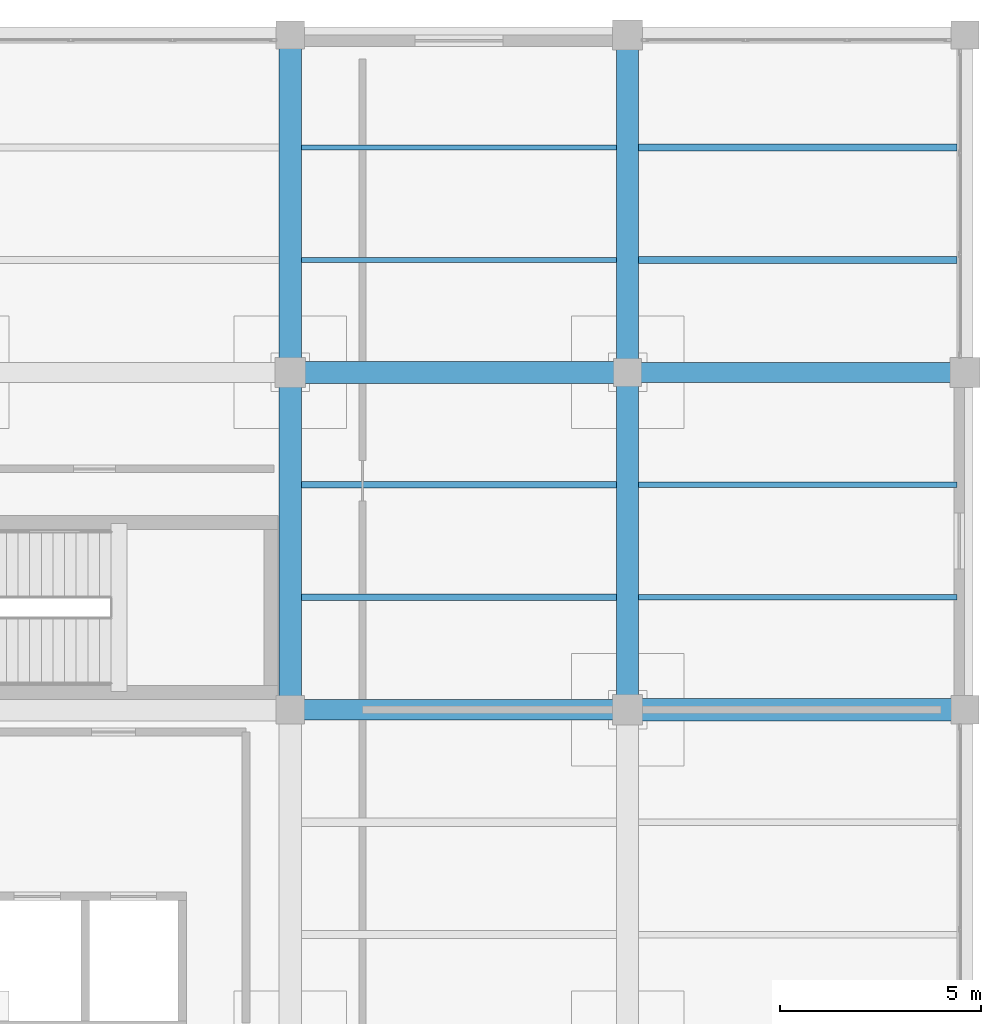
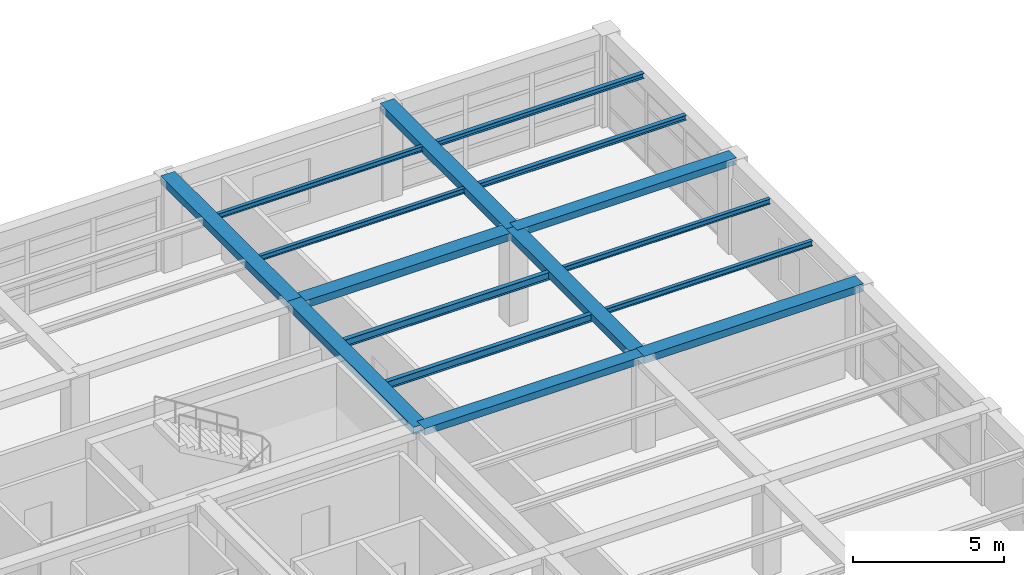
# One storey, part 13 of 26: 16 beams.
"""IFC4 building model written with IfcOpenShell, lengths in metres."""

from ifc_helpers import new_model, si_unit, direction, frame, origin, origin_2d, place, context, subcontext, project, spatial, rectangle, i_section, extrude, material, material_profile, profile_set, type_object, element, save


model = new_model("IFC4")

# Units and contexts
model_context = context("Model", 3, precision=1e-05, world=origin(), true_north=direction((0.0, 1.0)))
body_context = subcontext(model_context, "Body", "Model", "MODEL_VIEW")
ifc_project = project(units=[si_unit("LENGTHUNIT", "METRE"), si_unit("AREAUNIT", "SQUARE_METRE"), si_unit("VOLUMEUNIT", "CUBIC_METRE"), si_unit("PLANEANGLEUNIT", "RADIAN"), si_unit("MASSUNIT", "GRAM", prefix="KILO")], contexts=[model_context])

# Site, building, storey
site_placement = place(None, origin())
site = spatial("IfcSite", under=ifc_project, at=site_placement, CompositionType="ELEMENT")
building_placement = place(site_placement, origin())
building = spatial("IfcBuilding", under=site, at=building_placement, Name="Almacenes y Pasaje Nevantli", CompositionType="ELEMENT")
storey_placement = place(building_placement, frame((0.0, 0.0, 30.699951171875)))
storey = spatial("IfcBuildingStorey", under=building, at=storey_placement, Name="L07", CompositionType="ELEMENT", Elevation=30.699951171875)

# Beams
ifc_material_1 = material(Name="Concrete C35/45", Category="concrete")
ifc_material_profile_1 = material_profile(ifc_material_1, rectangle(XDim=0.5, YDim=0.280029296875, at=origin_2d()), Name="RC-BM-500x280")
ifc_profile_set_1 = profile_set([ifc_material_profile_1], Name="Concrete C35/45")
beam_type_1 = type_object("IfcBeamType", Name="BM-RC-500x280", PredefinedType="BEAM", material=ifc_profile_set_1)
beam_1_placement = place(storey_placement, frame((142.800048828125, 84.0, 3.580078125), z_axis=(1.0, 0.0, 0.0), x_axis=(0.0, 1.0, 0.0)))
element("IfcBeam", 1, at=beam_1_placement, inside=storey, type_object=beam_type_1, Name="L07 East-West Reinforced Concrete Beam #3645", PredefinedType="BEAM", context=body_context, shape_type="SweptSolid", body=[
    extrude(rectangle(XDim=0.5, YDim=0.280029296875, at=origin_2d()), origin(), (0.0, 0.0, 1.0), 8.39990234375),
])
beam_2_placement = place(storey_placement, frame((151.199951171875, 92.39990234375, 3.580078125), z_axis=(1.0, 0.0, 0.0), x_axis=(0.0, 1.0, 0.0)))
element("IfcBeam", 2, at=beam_2_placement, inside=storey, type_object=beam_type_1, Name="L07 East-West Reinforced Concrete Beam #3652", PredefinedType="BEAM", context=body_context, shape_type="SweptSolid", body=[
    extrude(rectangle(XDim=0.5, YDim=0.280029296875, at=origin_2d()), origin(), (0.0, 0.0, 1.0), 8.400146484375),
])
ifc_material_2 = material(Name="Concrete C35/45", Category="concrete")
ifc_material_profile_2 = material_profile(ifc_material_2, rectangle(XDim=0.550048828125, YDim=0.300048828125, at=origin_2d()), Name="RC-BM-550x300")
ifc_profile_set_2 = profile_set([ifc_material_profile_2], Name="Concrete C35/45")
beam_type_2 = type_object("IfcBeamType", Name="BM-RC-550x300", PredefinedType="BEAM", material=ifc_profile_set_2)
beam_3_placement = place(storey_placement, frame((151.199951171875, 84.0, 3.570068359375), z_axis=(1.0, 0.0, 0.0), x_axis=(0.0, 1.0, 0.0)))
element("IfcBeam", 3, at=beam_3_placement, inside=storey, type_object=beam_type_2, Name="L07 East-West Reinforced Concrete Beam #3646", PredefinedType="BEAM", context=body_context, shape_type="SweptSolid", body=[
    extrude(rectangle(XDim=0.550048828125, YDim=0.300048828125, at=origin_2d()), origin(), (0.0, 0.0, 1.0), 8.400146484375),
])
for number, where, z_axis, x_axis, name in (
    (4, (142.800048828125, 92.39990234375, 3.570068359375), (1.0, 0.0, 0.0), (0.0, 1.0, 0.0), "L07 East-West Reinforced Concrete Beam #3651"),
    (5, (142.800048828125, 84.0, 3.570068359375), (0.0, 1.0, 0.0), (-1.0, 0.0, 0.0), "L07 North-South Reinforced Concrete Beam #3675"),
):
    element("IfcBeam", number, at=place(storey_placement, frame(where, z_axis=z_axis, x_axis=x_axis)), inside=storey, type_object=beam_type_2, Name=name, PredefinedType="BEAM", context=body_context, shape_type="SweptSolid", body=[
        extrude(rectangle(XDim=0.550048828125, YDim=0.300048828125, at=origin_2d()), origin(), (0.0, 0.0, 1.0), 8.39990234375),
    ])
beam_4_placement = place(storey_placement, frame((142.800048828125, 92.39990234375, 3.570068359375), z_axis=(0.0, 1.0, 0.0), x_axis=(-1.0, 0.0, 0.0)))
element("IfcBeam", 6, at=beam_4_placement, inside=storey, type_object=beam_type_2, Name="L07 North-South Reinforced Concrete Beam #3676", PredefinedType="BEAM", context=body_context, shape_type="SweptSolid", body=[
    extrude(rectangle(XDim=0.550048828125, YDim=0.300048828125, at=origin_2d()), origin(), (0.0, 0.0, 1.0), 8.400146484375),
])
beam_5_placement = place(storey_placement, frame((151.199951171875, 84.0, 3.570068359375), z_axis=(0.0, 1.0, 0.0), x_axis=(-1.0, 0.0, 0.0)))
element("IfcBeam", 7, at=beam_5_placement, inside=storey, type_object=beam_type_2, Name="L07 North-South Reinforced Concrete Beam #3679", PredefinedType="BEAM", context=body_context, shape_type="SweptSolid", body=[
    extrude(rectangle(XDim=0.550048828125, YDim=0.300048828125, at=origin_2d()), origin(), (0.0, 0.0, 1.0), 8.39990234375),
])
beam_6_placement = place(storey_placement, frame((151.199951171875, 92.39990234375, 3.570068359375), z_axis=(0.0, 1.0, 0.0), x_axis=(-1.0, 0.0, 0.0)))
element("IfcBeam", 8, at=beam_6_placement, inside=storey, type_object=beam_type_2, Name="L07 North-South Reinforced Concrete Beam #3680", PredefinedType="BEAM", context=body_context, shape_type="SweptSolid", body=[
    extrude(rectangle(XDim=0.550048828125, YDim=0.300048828125, at=origin_2d()), origin(), (0.0, 0.0, 1.0), 8.400146484375),
])
ifc_material_3 = material(Name="Steel ASTM A992", Category="steel")
ifc_material_profile_3 = material_profile(ifc_material_3, i_section(OverallWidth=0.134033203125, OverallDepth=0.2099609375, WebThickness=0.00634765625, FlangeThickness=0.01025390625, at=origin_2d()), Name="IR 203x31.3")
ifc_profile_set_3 = profile_set([ifc_material_profile_3], Name="Steel ASTM A992")
beam_type_3 = type_object("IfcBeamType", Name="BM-STL-IR-203x31p3", PredefinedType="JOIST", material=ifc_profile_set_3)
for number, where, z_axis, x_axis, name in (
    (9, (143.074951171875, 95.199951171875, 3.60693359375), (1.0, 0.0, 0.0), (0.0, 1.0, 0.0), "L07 Secondary Steel Floor Joist #1411"),
    (10, (143.074951171875, 98.0, 3.60693359375), (1.0, 0.0, 0.0), (0.0, 1.0, 0.0), "L07 Secondary Steel Floor Joist #1412"),
):
    element("IfcBeam", number, at=place(storey_placement, frame(where, z_axis=z_axis, x_axis=x_axis)), inside=storey, type_object=beam_type_3, Name=name, PredefinedType="JOIST", context=body_context, shape_type="SweptSolid", body=[
        extrude(i_section(OverallWidth=0.134033203125, OverallDepth=0.2099609375, WebThickness=0.00634765625, FlangeThickness=0.01025390625, at=origin_2d()), origin(), (0.0, 0.0, 1.0), 7.85009765625),
    ])
for number, where, z_axis, x_axis, name in (
    (11, (151.47509765625, 86.800048828125, 3.60693359375), (1.0, 0.0, 0.0), (0.0, 1.0, 0.0), "L07 Secondary Steel Floor Joist #1417"),
    (12, (151.47509765625, 89.60009765625, 3.60693359375), (1.0, 0.0, 0.0), (0.0, 1.0, 0.0), "L07 Secondary Steel Floor Joist #1418"),
):
    element("IfcBeam", number, at=place(storey_placement, frame(where, z_axis=z_axis, x_axis=x_axis)), inside=storey, type_object=beam_type_3, Name=name, PredefinedType="JOIST", context=body_context, shape_type="SweptSolid", body=[
        extrude(i_section(OverallWidth=0.134033203125, OverallDepth=0.2099609375, WebThickness=0.00634765625, FlangeThickness=0.01025390625, at=origin_2d()), origin(), (0.0, 0.0, 1.0), 7.9248046875),
    ])
ifc_material_4 = material(Name="Steel ASTM A992", Category="steel")
ifc_material_profile_4 = material_profile(ifc_material_4, i_section(OverallWidth=0.166015625, OverallDepth=0.205078125, WebThickness=0.007080078125, FlangeThickness=0.01171875, at=origin_2d()), Name="IR 203x41.7")
ifc_profile_set_4 = profile_set([ifc_material_profile_4], Name="Steel ASTM A992")
beam_type_4 = type_object("IfcBeamType", Name="BM-STL-IR-203x41p7", PredefinedType="JOIST", material=ifc_profile_set_4)
for number, where, z_axis, x_axis, name in (
    (13, (151.47509765625, 95.199951171875, 3.609619140625), (1.0, 0.0, 0.0), (0.0, 1.0, 0.0), "L07 Secondary Steel Floor Joist #1419"),
    (14, (151.47509765625, 98.0, 3.609619140625), (1.0, 0.0, 0.0), (0.0, 1.0, 0.0), "L07 Secondary Steel Floor Joist #1420"),
):
    element("IfcBeam", number, at=place(storey_placement, frame(where, z_axis=z_axis, x_axis=x_axis)), inside=storey, type_object=beam_type_4, Name=name, PredefinedType="JOIST", context=body_context, shape_type="SweptSolid", body=[
        extrude(i_section(OverallWidth=0.166015625, OverallDepth=0.205078125, WebThickness=0.007080078125, FlangeThickness=0.01171875, at=origin_2d()), origin(), (0.0, 0.0, 1.0), 7.9248046875),
    ])
ifc_material_5 = material(Name="Steel ASTM A992", Category="steel")
ifc_material_profile_5 = material_profile(ifc_material_5, i_section(OverallWidth=0.1650390625, OverallDepth=0.306884765625, WebThickness=0.006591796875, FlangeThickness=0.01025390625, at=origin_2d()), Name="IR 305x44.6")
ifc_profile_set_5 = profile_set([ifc_material_profile_5], Name="Steel ASTM A992")
beam_type_5 = type_object("IfcBeamType", Name="BM-STL-IR-305x44p6", PredefinedType="JOIST", material=ifc_profile_set_5)
for number, where, z_axis, x_axis, name in (
    (15, (143.074951171875, 86.800048828125, 3.55859375), (1.0, 0.0, 0.0), (0.0, 1.0, 0.0), "L07 Secondary Steel Floor Joist #1409"),
    (16, (143.074951171875, 89.60009765625, 3.55859375), (1.0, 0.0, 0.0), (0.0, 1.0, 0.0), "L07 Secondary Steel Floor Joist #1410"),
):
    element("IfcBeam", number, at=place(storey_placement, frame(where, z_axis=z_axis, x_axis=x_axis)), inside=storey, type_object=beam_type_5, Name=name, PredefinedType="JOIST", context=body_context, shape_type="SweptSolid", body=[
        extrude(i_section(OverallWidth=0.1650390625, OverallDepth=0.306884765625, WebThickness=0.006591796875, FlangeThickness=0.01025390625, at=origin_2d()), origin(), (0.0, 0.0, 1.0), 7.85009765625),
    ])

save(model, "model.ifc")
